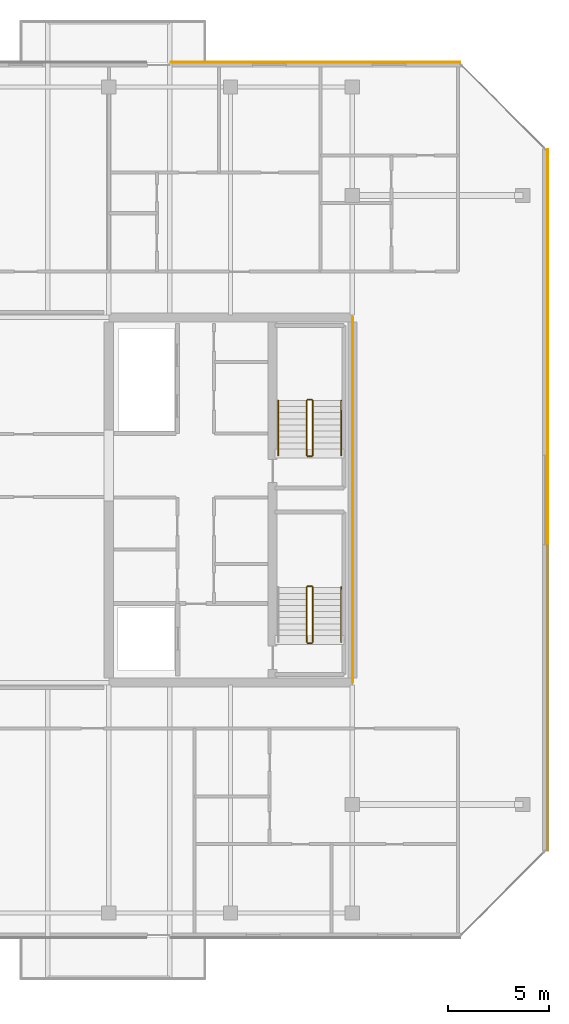
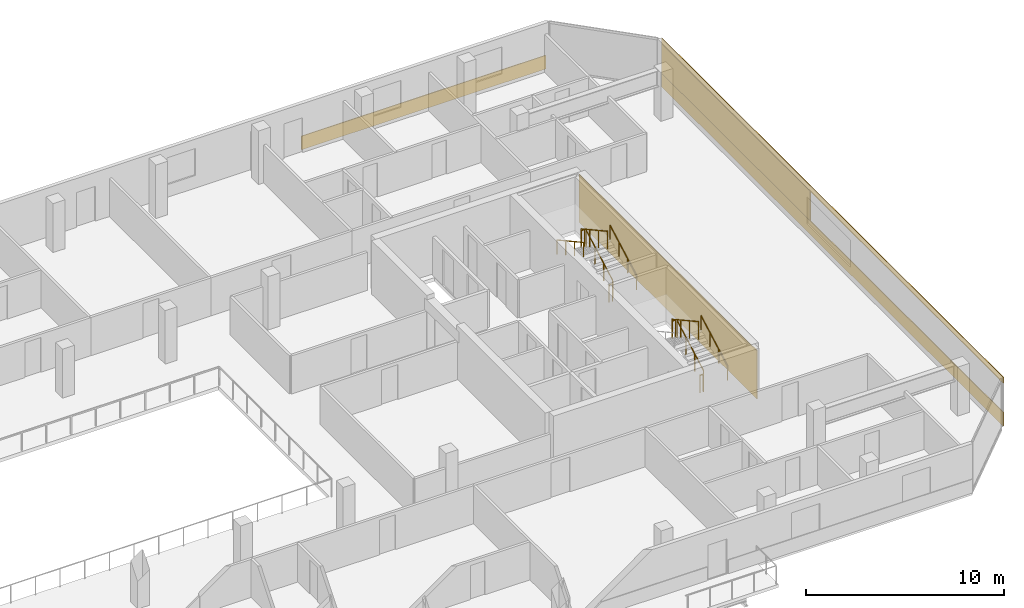
# One storey, part 24 of 24: 11 railings, 5 coverings.
"""IFC4 building model written with IfcOpenShell, lengths in metres."""

from ifc_helpers import new_model, si_unit, direction, frame, origin, origin_2d, place, context, subcontext, project, spatial, rectangle, extrude, material, layer, layer_set, type_object, element, save


model = new_model("IFC4")

# Units and contexts
model_context = context("Model", 3, precision=1e-05, world=origin(), true_north=direction((0.0, 1.0)))
body_context = subcontext(model_context, "Body", "Model", "MODEL_VIEW")
ifc_project = project(units=[si_unit("LENGTHUNIT", "METRE"), si_unit("AREAUNIT", "SQUARE_METRE"), si_unit("VOLUMEUNIT", "CUBIC_METRE"), si_unit("PLANEANGLEUNIT", "RADIAN"), si_unit("MASSUNIT", "GRAM", prefix="KILO")], contexts=[model_context])

# Site, building, storey
site_placement = place(None, origin())
site = spatial("IfcSite", under=ifc_project, at=site_placement, CompositionType="ELEMENT")
building_placement = place(site_placement, origin())
building = spatial("IfcBuilding", under=site, at=building_placement, Name="Tanjung Sevakor Pilgrim Tower", CompositionType="ELEMENT")
storey_placement = place(building_placement, frame((0.0, 0.0, 226.050048828125)))
storey = spatial("IfcBuildingStorey", under=building, at=storey_placement, Name="L63", CompositionType="ELEMENT", Elevation=226.050048828125)

# Coverings
ifc_material_1 = material(Name="Reconstructed Limestone Cladding", Category="masonry")
ifc_layer = layer(ifc_material_1, 0.044921875)
ifc_layer_set = layer_set([ifc_layer], Name="COV-CLAD-LIMESTONE")
covering_type = type_object("IfcCoveringType", Name="COV-CLAD-LIMESTONE", PredefinedType="CLADDING", material=ifc_layer_set)
covering_1_placement = place(storey_placement, frame((99.62255859375, 33.60009765625, 0.009765625), z_axis=(0.0, 0.0, 1.0), x_axis=(0.0, 1.0, 0.0)))
element("IfcCovering", 1, at=covering_1_placement, inside=storey, type_object=covering_type, Name="L63 Warm Limestone Sill Spandrel EW-L63-MAIN-7-1", PredefinedType="CLADDING", context=body_context, shape_type="SweptSolid", body=[
    extrude(rectangle(XDim=34.52880859375, YDim=0.044921875, at=origin_2d()), origin(), (0.0, 0.0, 1.0), 0.840087890625),
])
covering_2_placement = place(storey_placement, frame((99.62255859375, 33.60009765625, 2.659912109375), z_axis=(0.0, 0.0, 1.0), x_axis=(0.0, 1.0, 0.0)))
element("IfcCovering", 2, at=covering_2_placement, inside=storey, type_object=covering_type, Name="L63 Warm Limestone Cornice Spandrel EW-L63-MAIN-7", PredefinedType="CLADDING", context=body_context, shape_type="SweptSolid", body=[
    extrude(rectangle(XDim=34.56884765625, YDim=0.044921875, at=origin_2d()), origin(), (0.0, 0.0, 1.0), 0.35009765625),
])
covering_3_placement = place(storey_placement, frame((99.62255859375, 43.357177734375, 0.849853515625), z_axis=(0.0, 0.0, 1.0), x_axis=(0.0, 1.0, 0.0)))
element("IfcCovering", 3, at=covering_3_placement, inside=storey, type_object=covering_type, Name="L63 Warm Limestone Pier Panel EW-L63-MAIN-7-2", PredefinedType="CLADDING", context=body_context, shape_type="SweptSolid", body=[
    extrude(rectangle(XDim=15.014404296875, YDim=0.044921875, at=origin_2d()), origin(), (0.0, 0.0, 1.0), 1.81005859375),
])
covering_4_placement = place(storey_placement, frame((88.187255859375, 55.172607421875, 0.009765625), z_axis=(0.0, 0.0, 1.0), x_axis=(-1.0, 0.0, 0.0)))
element("IfcCovering", 4, at=covering_4_placement, inside=storey, type_object=covering_type, Name="L63 Warm Limestone Sill Spandrel EW-L63-MAIN-9-1", PredefinedType="CLADDING", context=body_context, shape_type="SweptSolid", body=[
    extrude(rectangle(XDim=14.25439453125, YDim=0.044921875, at=origin_2d()), origin(), (0.0, 0.0, 1.0), 0.840087890625),
])
covering_5_placement = place(storey_placement, frame((90.0224609375, 33.60009765625, 0.02001953125), z_axis=(0.0, 0.0, 1.0), x_axis=(1.0, 0.0, 0.0)))
element("IfcCovering", 5, at=covering_5_placement, inside=storey, type_object=covering_type, Name="L63 Expressed Core Warm Limestone Cladding E", PredefinedType="CLADDING", context=body_context, shape_type="SweptSolid", body=[
    extrude(rectangle(XDim=0.044921875, YDim=18.0, at=origin_2d()), origin(), (0.0, 0.0, 1.0), 2.97998046875),
])

# Railings
ifc_material_2 = material(Name="Steel S355J2", Category="steel")
railing_type_1 = type_object("IfcRailingType", Name="RL-STAIR-GUARD", PredefinedType="GUARDRAIL", material=ifc_material_2)
railing_1_placement = place(storey_placement, frame((88.050048828125, 26.60009765625, 0.1650390625)))
element("IfcRailing", 6, at=railing_1_placement, inside=storey, type_object=railing_type_1, Name="L63 TS-E1 stair guard 1", PredefinedType="GUARDRAIL", context=body_context, shape_type="SweptSolid", body=[
    extrude(rectangle(XDim=0.0479, YDim=0.0479), frame((0.0, 0.0, 1.076171875), z_axis=(0.0, 0.876230963923, 0.481891375584), x_axis=(-1.0, 0.0, 0.0)), (0.0, 0.0, 1.0), 3.081298828125),
    extrude(rectangle(XDim=0.042, YDim=0.042), origin(), (0.0, 0.0, 1.0), 1.052001953125),
    extrude(rectangle(XDim=0.042, YDim=0.042), frame((0.0, 0.89990234375, 0.494873046875)), (0.0, 0.0, 1.0), 1.052001953125),
    extrude(rectangle(XDim=0.042, YDim=0.042), frame((0.0, 1.800048828125, 0.989990234375)), (0.0, 0.0, 1.0), 1.052001953125),
    extrude(rectangle(XDim=0.042, YDim=0.042), frame((0.0, 2.699951171875, 1.48486328125)), (0.0, 0.0, 1.0), 1.052001953125),
])
railing_2_placement = place(storey_placement, frame((88.0, 29.35009765625, 1.64990234375)))
element("IfcRailing", 7, at=railing_2_placement, inside=storey, type_object=railing_type_1, Name="L63 TS-E1 stair guard 2", PredefinedType="GUARDRAIL", context=body_context, shape_type="SweptSolid", body=[
    extrude(rectangle(XDim=0.0479, YDim=0.0479), frame((0.0, 0.0, 1.076171875), z_axis=(-1.0, 0.0, 0.0), x_axis=(0.0, -1.0, 0.0)), (0.0, 0.0, 1.0), 0.199951171875),
    extrude(rectangle(XDim=0.042, YDim=0.042), origin(), (0.0, 0.0, 1.0), 1.052001953125),
    extrude(rectangle(XDim=0.042, YDim=0.042), frame((-0.199951171875, 0.0, 0.0)), (0.0, 0.0, 1.0), 1.052001953125),
])
railing_3_placement = place(storey_placement, frame((87.75, 29.300048828125, 1.81494140625)))
element("IfcRailing", 8, at=railing_3_placement, inside=storey, type_object=railing_type_1, Name="L63 TS-E1 stair guard 3", PredefinedType="GUARDRAIL", context=body_context, shape_type="SweptSolid", body=[
    extrude(rectangle(XDim=0.0479, YDim=0.0479), frame((0.0, 0.0, 1.076171875), z_axis=(0.0, -0.876197507361, 0.481952205197), x_axis=(1.0, 0.0, 0.0)), (0.0, 0.0, 1.0), 3.08154296875),
    extrude(rectangle(XDim=0.042, YDim=0.042), origin(), (0.0, 0.0, 1.0), 1.052001953125),
    extrude(rectangle(XDim=0.042, YDim=0.042), frame((0.0, -0.89990234375, 0.4951171875)), (0.0, 0.0, 1.0), 1.052001953125),
    extrude(rectangle(XDim=0.042, YDim=0.042), frame((0.0, -1.800048828125, 0.989990234375)), (0.0, 0.0, 1.0), 1.052001953125),
    extrude(rectangle(XDim=0.042, YDim=0.042), frame((0.0, -2.699951171875, 1.485107421875)), (0.0, 0.0, 1.0), 1.052001953125),
])
railing_4_placement = place(storey_placement, frame((88.0, 26.550048828125, 0.0)))
element("IfcRailing", 9, at=railing_4_placement, inside=storey, type_object=railing_type_1, Name="L63 TS-E1 stair guard 4", PredefinedType="GUARDRAIL", context=body_context, shape_type="SweptSolid", body=[
    extrude(rectangle(XDim=0.0479, YDim=0.0479), frame((0.0, 0.0, 1.076171875), z_axis=(-1.0, 0.0, 0.0), x_axis=(0.0, -1.0, 0.0)), (0.0, 0.0, 1.0), 0.199951171875),
    extrude(rectangle(XDim=0.042, YDim=0.042), origin(), (0.0, 0.0, 1.0), 1.052001953125),
    extrude(rectangle(XDim=0.042, YDim=0.042), frame((-0.199951171875, 0.0, 0.0)), (0.0, 0.0, 1.0), 1.052001953125),
])
railing_5_placement = place(storey_placement, frame((88.050048828125, 35.800048828125, 0.1650390625)))
element("IfcRailing", 10, at=railing_5_placement, inside=storey, type_object=railing_type_1, Name="L63 TS-E2 stair guard 1", PredefinedType="GUARDRAIL", context=body_context, shape_type="SweptSolid", body=[
    extrude(rectangle(XDim=0.0479, YDim=0.0479), frame((0.0, 0.0, 1.076171875), z_axis=(0.0, 0.876230963923, 0.481891375584), x_axis=(-1.0, 0.0, 0.0)), (0.0, 0.0, 1.0), 3.081298828125),
    extrude(rectangle(XDim=0.042, YDim=0.042), origin(), (0.0, 0.0, 1.0), 1.052001953125),
    extrude(rectangle(XDim=0.042, YDim=0.042), frame((0.0, 0.89990234375, 0.494873046875)), (0.0, 0.0, 1.0), 1.052001953125),
    extrude(rectangle(XDim=0.042, YDim=0.042), frame((0.0, 1.800048828125, 0.989990234375)), (0.0, 0.0, 1.0), 1.052001953125),
    extrude(rectangle(XDim=0.042, YDim=0.042), frame((0.0, 2.699951171875, 1.48486328125)), (0.0, 0.0, 1.0), 1.052001953125),
])
railing_6_placement = place(storey_placement, frame((88.0, 38.550048828125, 1.64990234375)))
element("IfcRailing", 11, at=railing_6_placement, inside=storey, type_object=railing_type_1, Name="L63 TS-E2 stair guard 2", PredefinedType="GUARDRAIL", context=body_context, shape_type="SweptSolid", body=[
    extrude(rectangle(XDim=0.0479, YDim=0.0479), frame((0.0, 0.0, 1.076171875), z_axis=(-1.0, 0.0, 0.0), x_axis=(0.0, -1.0, 0.0)), (0.0, 0.0, 1.0), 0.199951171875),
    extrude(rectangle(XDim=0.042, YDim=0.042), origin(), (0.0, 0.0, 1.0), 1.052001953125),
    extrude(rectangle(XDim=0.042, YDim=0.042), frame((-0.199951171875, 0.0, 0.0)), (0.0, 0.0, 1.0), 1.052001953125),
])
railing_7_placement = place(storey_placement, frame((87.75, 38.5, 1.81494140625)))
element("IfcRailing", 12, at=railing_7_placement, inside=storey, type_object=railing_type_1, Name="L63 TS-E2 stair guard 3", PredefinedType="GUARDRAIL", context=body_context, shape_type="SweptSolid", body=[
    extrude(rectangle(XDim=0.0479, YDim=0.0479), frame((0.0, 0.0, 1.076171875), z_axis=(0.0, -0.876197507361, 0.481952205197), x_axis=(1.0, 0.0, 0.0)), (0.0, 0.0, 1.0), 3.08154296875),
    extrude(rectangle(XDim=0.042, YDim=0.042), origin(), (0.0, 0.0, 1.0), 1.052001953125),
    extrude(rectangle(XDim=0.042, YDim=0.042), frame((0.0, -0.89990234375, 0.4951171875)), (0.0, 0.0, 1.0), 1.052001953125),
    extrude(rectangle(XDim=0.042, YDim=0.042), frame((0.0, -1.800048828125, 0.989990234375)), (0.0, 0.0, 1.0), 1.052001953125),
    extrude(rectangle(XDim=0.042, YDim=0.042), frame((0.0, -2.699951171875, 1.485107421875)), (0.0, 0.0, 1.0), 1.052001953125),
])
railing_8_placement = place(storey_placement, frame((88.0, 35.75, 0.0)))
element("IfcRailing", 13, at=railing_8_placement, inside=storey, type_object=railing_type_1, Name="L63 TS-E2 stair guard 4", PredefinedType="GUARDRAIL", context=body_context, shape_type="SweptSolid", body=[
    extrude(rectangle(XDim=0.0479, YDim=0.0479), frame((0.0, 0.0, 1.076171875), z_axis=(-1.0, 0.0, 0.0), x_axis=(0.0, -1.0, 0.0)), (0.0, 0.0, 1.0), 0.199951171875),
    extrude(rectangle(XDim=0.042, YDim=0.042), origin(), (0.0, 0.0, 1.0), 1.052001953125),
    extrude(rectangle(XDim=0.042, YDim=0.042), frame((-0.199951171875, 0.0, 0.0)), (0.0, 0.0, 1.0), 1.052001953125),
])
ifc_material_3 = material(Name="Steel S355J2", Category="steel")
railing_type_2 = type_object("IfcRailingType", Name="RL-STAIR-HAND", PredefinedType="HANDRAIL", material=ifc_material_3)
for number, where, name in (
    (14, (89.449951171875, 26.60009765625, 0.1650390625), "L63 TS-E1 stair handrail 1"),
    (15, (89.449951171875, 35.800048828125, 0.1650390625), "L63 TS-E2 stair handrail 1"),
):
    element("IfcRailing", number, at=place(storey_placement, frame(where)), inside=storey, type_object=railing_type_2, Name=name, PredefinedType="HANDRAIL", context=body_context, shape_type="SweptSolid", body=[
        extrude(rectangle(XDim=0.0479, YDim=0.0479), frame((0.0, 0.0, 0.8759765625), z_axis=(0.0, 0.876230963923, 0.481891375584), x_axis=(-1.0, 0.0, 0.0)), (0.0, 0.0, 1.0), 3.081298828125),
        extrude(rectangle(XDim=0.042, YDim=0.042), origin(), (0.0, 0.0, 1.0), 0.851806640625),
        extrude(rectangle(XDim=0.042, YDim=0.042), frame((0.0, 0.89990234375, 0.494873046875)), (0.0, 0.0, 1.0), 0.851806640625),
        extrude(rectangle(XDim=0.042, YDim=0.042), frame((0.0, 1.800048828125, 0.989990234375)), (0.0, 0.0, 1.0), 0.851806640625),
        extrude(rectangle(XDim=0.042, YDim=0.042), frame((0.0, 2.699951171875, 1.48486328125)), (0.0, 0.0, 1.0), 0.851806640625),
    ])
railing_9_placement = place(storey_placement, frame((86.35009765625, 38.5, 1.81494140625)))
element("IfcRailing", 16, at=railing_9_placement, inside=storey, type_object=railing_type_2, Name="L63 TS-E2 stair handrail 2", PredefinedType="HANDRAIL", context=body_context, shape_type="SweptSolid", body=[
    extrude(rectangle(XDim=0.0479, YDim=0.0479), frame((0.0, 0.0, 0.8759765625), z_axis=(0.0, -0.876197507361, 0.481952205197), x_axis=(1.0, 0.0, 0.0)), (0.0, 0.0, 1.0), 3.08154296875),
    extrude(rectangle(XDim=0.042, YDim=0.042), origin(), (0.0, 0.0, 1.0), 0.851806640625),
    extrude(rectangle(XDim=0.042, YDim=0.042), frame((0.0, -0.89990234375, 0.4951171875)), (0.0, 0.0, 1.0), 0.851806640625),
    extrude(rectangle(XDim=0.042, YDim=0.042), frame((0.0, -1.800048828125, 0.989990234375)), (0.0, 0.0, 1.0), 0.851806640625),
    extrude(rectangle(XDim=0.042, YDim=0.042), frame((0.0, -2.699951171875, 1.485107421875)), (0.0, 0.0, 1.0), 0.851806640625),
])

save(model, "model.ifc")
